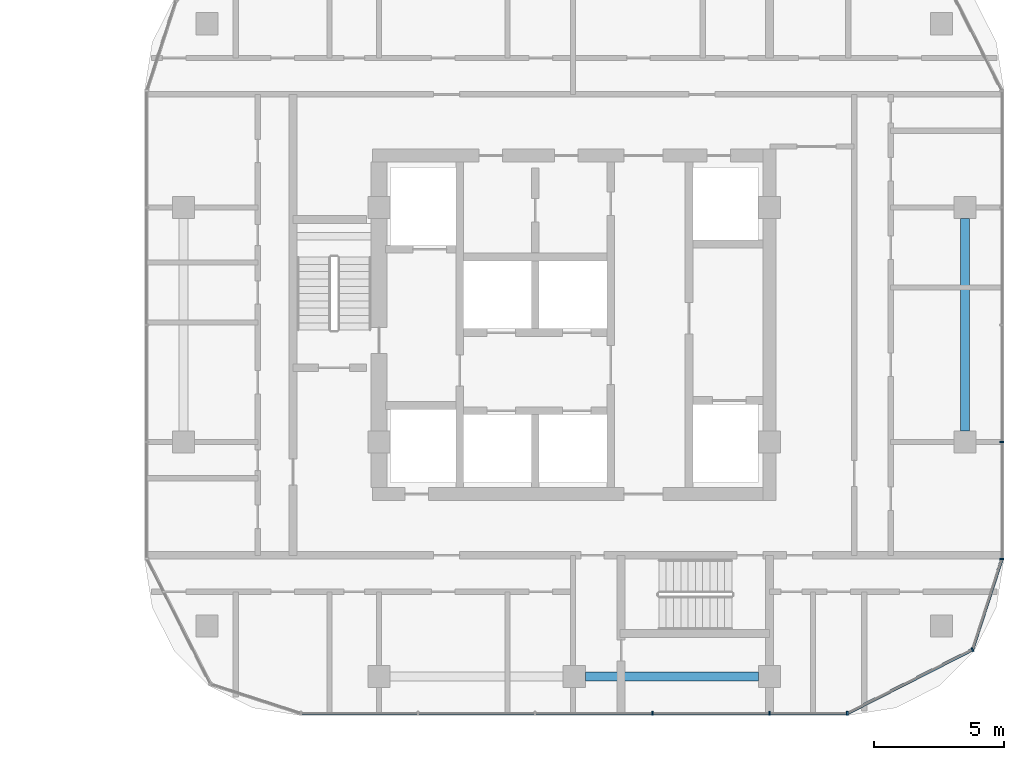
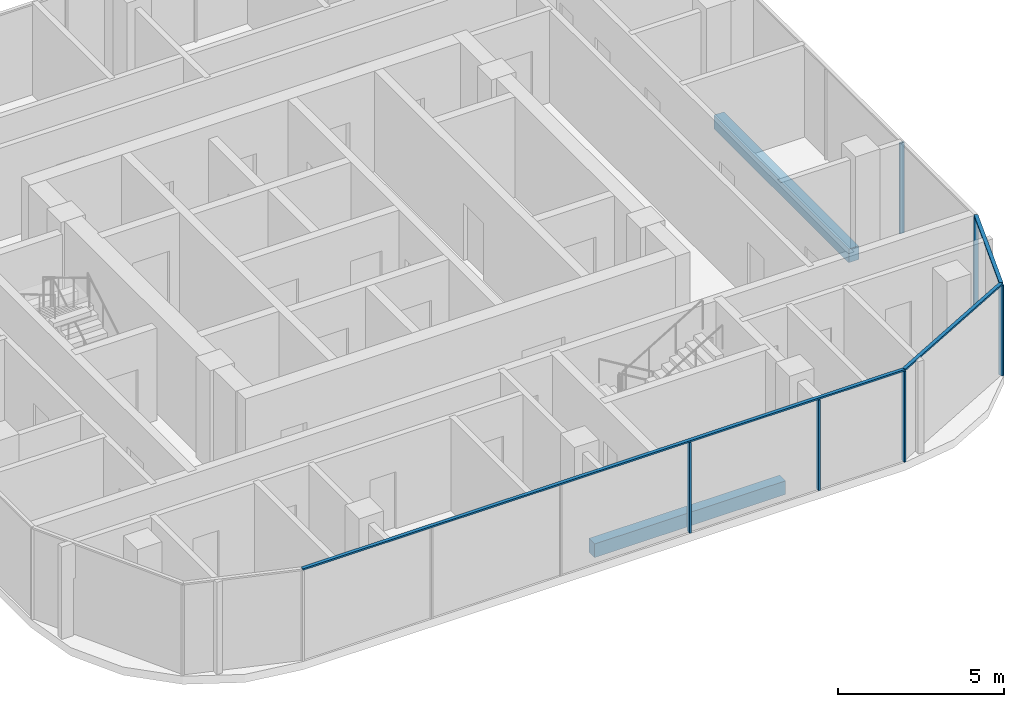
# One storey, part 11 of 33: 9 members, 2 beams, 3 elements without a shape of their own.
"""IFC4 building model written with IfcOpenShell, lengths in metres."""

from ifc_helpers import new_model, si_unit, direction, frame, origin, origin_2d, place, context, subcontext, project, spatial, rectangle, extrude, material, material_profile, profile_set, type_object, element, aggregate, save


model = new_model("IFC4")

# Units and contexts
model_context = context("Model", 3, precision=1e-05, world=origin(), true_north=direction((0.0, 1.0)))
body_context = subcontext(model_context, "Body", "Model", "MODEL_VIEW")
ifc_project = project(units=[si_unit("LENGTHUNIT", "METRE"), si_unit("AREAUNIT", "SQUARE_METRE"), si_unit("VOLUMEUNIT", "CUBIC_METRE"), si_unit("PLANEANGLEUNIT", "RADIAN"), si_unit("MASSUNIT", "GRAM", prefix="KILO")], contexts=[model_context])

# Site, building, storey
site_placement = place(None, origin())
site = spatial("IfcSite", under=ifc_project, at=site_placement, CompositionType="ELEMENT")
building_placement = place(site_placement, origin())
building = spatial("IfcBuilding", under=site, at=building_placement, Name="Ogive Portal Towers", CompositionType="ELEMENT")
storey_placement = place(building_placement, frame((0.0, 0.0, 77.89990234375)))
storey = spatial("IfcBuildingStorey", under=building, at=storey_placement, Name="L18", CompositionType="ELEMENT", Elevation=77.89990234375)

# Curtain wall, members
ifc_material_1 = material(Name="Glass, clear low-iron insulated glazing", Category="glass")
curtain_wall_type = type_object("IfcCurtainWallType", Name="CW RESIDENCES RIBBON", PredefinedType="NOTDEFINED", material=ifc_material_1)
curtain_wall_1_placement = place(storey_placement, origin())
curtain_wall_1 = element("IfcCurtainWall", 1, at=curtain_wall_1_placement, inside=storey, type_object=curtain_wall_type, Name="B:L18:f02:cw0", PredefinedType="NOTDEFINED")
ifc_material_2 = material(Name="Aluminium 6063 anodised", Category="aluminium")
ifc_material_profile_1 = material_profile(ifc_material_2, rectangle(XDim=0.159912109375, YDim=0.06005859375, at=origin_2d()), Name="AL 60x160")
ifc_profile_set_1 = profile_set([ifc_material_profile_1], Name="Aluminium 6063 anodised")
member_type_1 = type_object("IfcMemberType", Name="CW MULLION 60x160", PredefinedType="MULLION", material=ifc_profile_set_1)
member_1_placement = place(storey_placement, frame((139.5, 16.080078125, 0.0), z_axis=(0.0, 0.0, 1.0), x_axis=(0.0, 1.0, 0.0)))
member_1 = element("IfcMember", 2, at=member_1_placement, type_object=member_type_1, Name="mullion", PredefinedType="MULLION", context=body_context, shape_type="SweptSolid", body=[
    extrude(rectangle(XDim=0.159912109375, YDim=0.06005859375, at=origin_2d()), origin(), (0.0, 0.0, 1.0), 3.340087890625),
])
member_2_placement = place(storey_placement, frame((144.0, 16.080078125, 0.0), z_axis=(0.0, 0.0, 1.0), x_axis=(0.0, 1.0, 0.0)))
member_2 = element("IfcMember", 3, at=member_2_placement, type_object=member_type_1, Name="mullion", PredefinedType="MULLION", context=body_context, shape_type="SweptSolid", body=[
    extrude(rectangle(XDim=0.159912109375, YDim=0.06005859375, at=origin_2d()), origin(), (0.0, 0.0, 1.0), 3.340087890625),
])
member_3_placement = place(storey_placement, frame((146.980712890625, 16.080078125, 0.0), z_axis=(0.0, 0.0, 1.0), x_axis=(0.0, 1.0, 0.0)))
member_3 = element("IfcMember", 4, at=member_3_placement, type_object=member_type_1, Name="mullion", PredefinedType="MULLION", context=body_context, shape_type="SweptSolid", body=[
    extrude(rectangle(XDim=0.159912109375, YDim=0.06005859375, at=origin_2d()), origin(), (0.0, 0.0, 1.0), 3.340087890625),
])

curtain_wall_2_placement = place(storey_placement, origin())
curtain_wall_2 = element("IfcCurtainWall", 5, at=curtain_wall_2_placement, inside=storey, type_object=curtain_wall_type, Name="B:L18:f05:cw0", PredefinedType="NOTDEFINED")
member_4_placement = place(storey_placement, frame((152.919921875, 22.0126953125, 0.0), z_axis=(0.0, 0.0, 1.0), x_axis=(-1.0, 0.0, 0.0)))
member_4 = element("IfcMember", 6, at=member_4_placement, type_object=member_type_1, Name="mullion", PredefinedType="MULLION", context=body_context, shape_type="SweptSolid", body=[
    extrude(rectangle(XDim=0.159912109375, YDim=0.06005859375, at=origin_2d()), origin(), (0.0, 0.0, 1.0), 3.340087890625),
])
member_5_placement = place(storey_placement, frame((152.919921875, 26.5, 0.0), z_axis=(0.0, 0.0, 1.0), x_axis=(-1.0, 0.0, 0.0)))
member_5 = element("IfcMember", 7, at=member_5_placement, type_object=member_type_1, Name="mullion", PredefinedType="MULLION", context=body_context, shape_type="SweptSolid", body=[
    extrude(rectangle(XDim=0.159912109375, YDim=0.06005859375, at=origin_2d()), origin(), (0.0, 0.0, 1.0), 3.340087890625),
])
aggregate(curtain_wall_2, [member_4, member_5])

# Curtain wall, member
curtain_wall_3_placement = place(storey_placement, origin())
curtain_wall_3 = element("IfcCurtainWall", 8, at=curtain_wall_3_placement, inside=storey, type_object=curtain_wall_type, Name="B:L18:f03:cwa", PredefinedType="NOTDEFINED")
member_6_placement = place(storey_placement, frame((151.788330078125, 18.529541015625, 0.0), z_axis=(0.0, 0.0, 1.0), x_axis=(-0.45399049974, 0.891006524188, 0.0)))
member_6 = element("IfcMember", 9, at=member_6_placement, type_object=member_type_1, Name="mullion", PredefinedType="MULLION", context=body_context, shape_type="SweptSolid", body=[
    extrude(rectangle(XDim=0.159912109375, YDim=0.06005859375, at=origin_2d()), origin(), (0.0, 0.0, 1.0), 3.340087890625),
])

# Member
ifc_material_profile_2 = material_profile(ifc_material_2, rectangle(XDim=0.1201171875, YDim=0.06005859375, at=origin_2d()), Name="AL 120x60")
ifc_profile_set_2 = profile_set([ifc_material_profile_2], Name="Aluminium 6063 anodised")
member_type_2 = type_object("IfcMemberType", Name="CW TRANSOM 60x120", PredefinedType="USERDEFINED", material=ifc_profile_set_2)
member_7_placement = place(storey_placement, frame((126.0126953125, 16.080078125, 3.3701171875), z_axis=(1.0, 0.0, 0.0), x_axis=(0.0, 1.0, 0.0)))
member_7 = element("IfcMember", 10, at=member_7_placement, type_object=member_type_2, Name="transom", ObjectType="TRANSOM", PredefinedType="USERDEFINED", context=body_context, shape_type="SweptSolid", body=[
    extrude(rectangle(XDim=0.1201171875, YDim=0.06005859375, at=origin_2d()), origin(), (0.0, 0.0, 1.0), 20.968017578125),
])

aggregate(curtain_wall_1, [member_7, member_1, member_2, member_3])

member_8_placement = place(storey_placement, frame((146.980712890625, 16.080078125, 3.3701171875), z_axis=(0.891017050983, 0.453969839149, 0.0), x_axis=(-0.453969839149, 0.891017050983, 0.0)))
member_8 = element("IfcMember", 11, at=member_8_placement, type_object=member_type_2, Name="transom", ObjectType="TRANSOM", PredefinedType="USERDEFINED", context=body_context, shape_type="SweptSolid", body=[
    extrude(rectangle(XDim=0.1201171875, YDim=0.06005859375, at=origin_2d()), origin(), (0.0, 0.0, 1.0), 5.395751953125),
])

member_9_placement = place(storey_placement, frame((151.788330078125, 18.529541015625, 3.3701171875), z_axis=(0.308979049184, 0.951068844598, 0.0), x_axis=(-0.951068844598, 0.308979049184, 0.0)))
member_9 = element("IfcMember", 12, at=member_9_placement, type_object=member_type_2, Name="transom", ObjectType="TRANSOM", PredefinedType="USERDEFINED", context=body_context, shape_type="SweptSolid", body=[
    extrude(rectangle(XDim=0.1201171875, YDim=0.06005859375, at=origin_2d()), origin(), (0.0, 0.0, 1.0), 3.662353515625),
])

aggregate(curtain_wall_3, [member_8, member_9, member_6])

# Beams
ifc_material_3 = material(Name="Concrete C50/60", Category="concrete")
ifc_material_profile_3 = material_profile(ifc_material_3, rectangle(XDim=0.35009765625, YDim=0.5, at=origin_2d()), Name="RC 350x500")
ifc_profile_set_3 = profile_set([ifc_material_profile_3], Name="Concrete C50/60")
beam_type = type_object("IfcBeamType", Name="SPANDREL BEAM RC 350x500", PredefinedType="BEAM", material=ifc_profile_set_3)
beam_1_placement = place(storey_placement, frame((136.925048828125, 17.5, -0.5498046875), z_axis=(1.0, 0.0, 0.0), x_axis=(0.0, 1.0, 0.0)))
element("IfcBeam", 13, at=beam_1_placement, inside=storey, type_object=beam_type, Name="Spandrel beam L18", PredefinedType="BEAM", context=body_context, shape_type="SweptSolid", body=[
    extrude(rectangle(XDim=0.35009765625, YDim=0.5, at=origin_2d()), origin(), (0.0, 0.0, 1.0), 6.64990234375),
])
beam_2_placement = place(storey_placement, frame((151.5, 26.925048828125, -0.5498046875), z_axis=(0.0, 1.0, 0.0), x_axis=(-1.0, 0.0, 0.0)))
element("IfcBeam", 14, at=beam_2_placement, inside=storey, type_object=beam_type, Name="Spandrel beam L18", PredefinedType="BEAM", context=body_context, shape_type="SweptSolid", body=[
    extrude(rectangle(XDim=0.35009765625, YDim=0.5, at=origin_2d()), origin(), (0.0, 0.0, 1.0), 8.14990234375),
])

save(model, "model.ifc")
